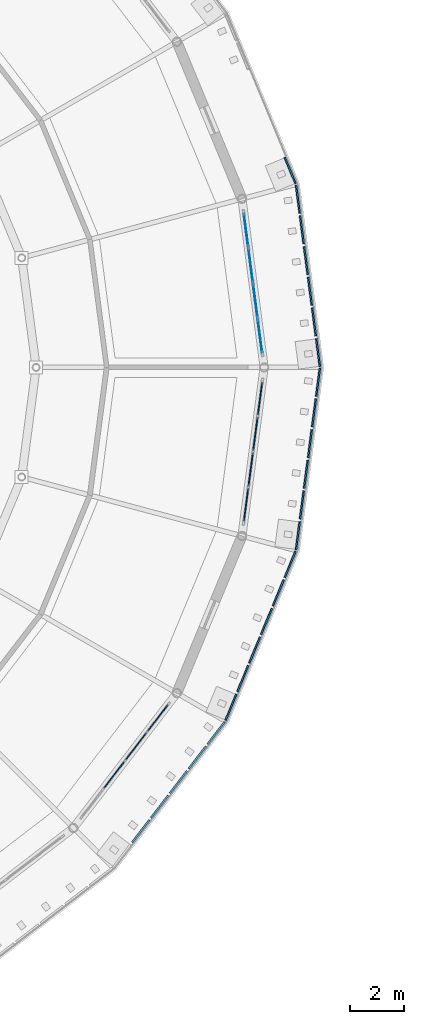
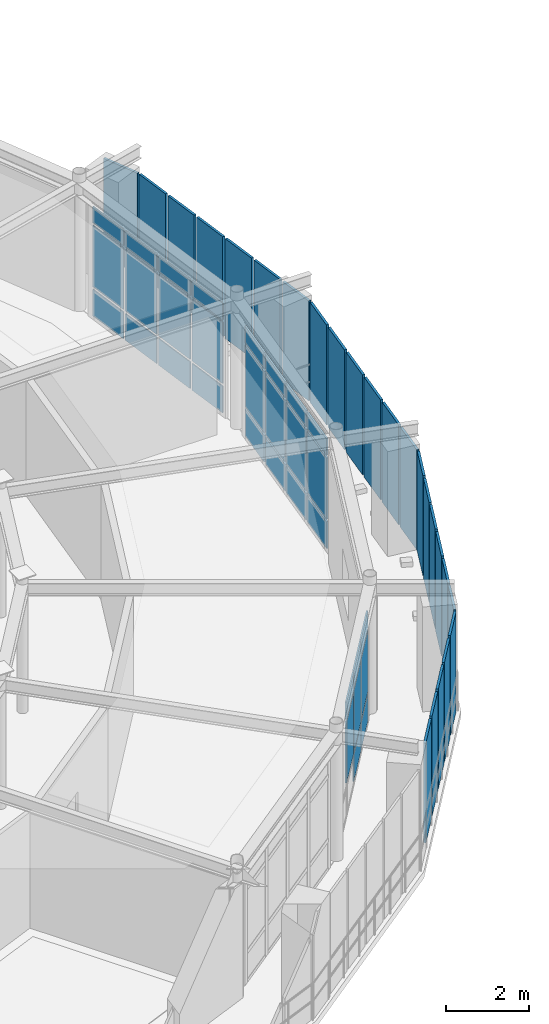
# One storey, part 44 of 70: 56 plates, 3 elements without a shape of their own.
"""IFC4 building model written with IfcOpenShell, lengths in metres."""

from ifc_helpers import new_model, si_unit, derived_unit, direction, frame, origin, origin_2d, place, context, subcontext, project, spatial, rectangle, extrude, material, layer, layer_set, type_object, element, aggregate, save


model = new_model("IFC4")

# Units and contexts
model_context = context("Model", 3, precision=1e-05, world=origin(), true_north=direction((0.0, 1.0)))
body_context = subcontext(model_context, "Body", "Model", "MODEL_VIEW")
ifc_project = project(units=[si_unit("LENGTHUNIT", "METRE"), si_unit("AREAUNIT", "SQUARE_METRE"), si_unit("VOLUMEUNIT", "CUBIC_METRE"), si_unit("PLANEANGLEUNIT", "RADIAN"), si_unit("MASSUNIT", "GRAM", prefix="KILO"), derived_unit("THERMALTRANSMITTANCEUNIT", [(si_unit("POWERUNIT", "WATT"), 1), (si_unit("AREAUNIT", "SQUARE_METRE"), -1), (si_unit("THERMODYNAMICTEMPERATUREUNIT", "KELVIN"), -1)])], contexts=[model_context])

# Site, building, storey
site_placement = place(None, origin())
site = spatial("IfcSite", under=ifc_project, at=site_placement, CompositionType="ELEMENT")
building_placement = place(site_placement, origin())
building = spatial("IfcBuilding", under=site, at=building_placement, Name="Yasenodar Specialist Clinic", CompositionType="ELEMENT")
storey_placement = place(building_placement, frame((0.0, 0.0, 13.199951171875)))
storey = spatial("IfcBuildingStorey", under=building, at=storey_placement, Name="L03", CompositionType="ELEMENT", Elevation=13.199951171875)

# Curtain wall, plates
ifc_material_1 = material(Name="Bronze Anodized Aluminium and Triple Low-E Glass", Category="aluminium")
ifc_layer_1 = layer(ifc_material_1, 0.1669921875)
ifc_layer_set_1 = layer_set([ifc_layer_1], Name="Bronze Anodized Aluminium and Triple Low-E Glass")
curtain_wall_type = type_object("IfcCurtainWallType", Name="CW-SYS-01", PredefinedType="USERDEFINED", material=ifc_layer_set_1)
curtain_wall_1_placement = place(storey_placement, origin())
curtain_wall_1 = element("IfcCurtainWall", 1, at=curtain_wall_1_placement, inside=storey, type_object=curtain_wall_type, Name="L03 Unitised Curtain Wall 040", ObjectType="UNITISED CURTAIN WALL", PredefinedType="USERDEFINED")
ifc_material_2 = material(Name="Triple Low-E Argon Glazing", Category="glass")
ifc_layer_2 = layer(ifc_material_2, 0.028076171875)
ifc_layer_set_2 = layer_set([ifc_layer_2], Name="Triple Low-E Argon Glazing")
plate_type_1 = type_object("IfcPlateType", Name="CW-PAN-1", PredefinedType="CURTAIN_PANEL", material=ifc_layer_set_2)
plate_1_placement = place(storey_placement, frame((104.333984375, 63.859619140625, 0.074951171875), z_axis=(0.0, 0.0, 1.0), x_axis=(0.13051156024, -0.991446787601, 0.0)))
plate_1 = element("IfcPlate", 2, at=plate_1_placement, type_object=plate_type_1, Name="CW-01 panel 1.1", PredefinedType="CURTAIN_PANEL", context=body_context, shape_type="SweptSolid", body=[
    extrude(rectangle(XDim=1.2138671875, YDim=0.028076171875, at=origin_2d()), origin(), (0.0, 0.0, 1.0), 0.78759765625),
])
plate_2_placement = place(storey_placement, frame((104.333984375, 63.859619140625, 0.9375), z_axis=(0.0, 0.0, 1.0), x_axis=(0.13051156024, -0.991446787601, 0.0)))
plate_2 = element("IfcPlate", 3, at=plate_2_placement, type_object=plate_type_1, Name="CW-01 panel 1.2", PredefinedType="CURTAIN_PANEL", context=body_context, shape_type="SweptSolid", body=[
    extrude(rectangle(XDim=1.2138671875, YDim=0.028076171875, at=origin_2d()), origin(), (0.0, 0.0, 1.0), 1.81298828125),
])
plate_3_placement = place(storey_placement, frame((104.333984375, 63.859619140625, 2.82568359375), z_axis=(0.0, 0.0, 1.0), x_axis=(0.13051156024, -0.991446787601, 0.0)))
plate_3 = element("IfcPlate", 4, at=plate_3_placement, type_object=plate_type_1, Name="CW-01 panel 1.3", PredefinedType="CURTAIN_PANEL", context=body_context, shape_type="SweptSolid", body=[
    extrude(rectangle(XDim=1.2138671875, YDim=0.028076171875, at=origin_2d()), origin(), (0.0, 0.0, 1.0), 0.487548828125),
])
plate_4_placement = place(storey_placement, frame((104.504638671875, 62.563232421875, 0.074951171875), z_axis=(0.0, 0.0, 1.0), x_axis=(0.13051156024, -0.991446787601, 0.0)))
plate_4 = element("IfcPlate", 5, at=plate_4_placement, type_object=plate_type_1, Name="CW-01 panel 2.1", PredefinedType="CURTAIN_PANEL", context=body_context, shape_type="SweptSolid", body=[
    extrude(rectangle(XDim=1.251220703125, YDim=0.028076171875, at=origin_2d()), origin(), (0.0, 0.0, 1.0), 0.78759765625),
])
plate_5_placement = place(storey_placement, frame((104.504638671875, 62.563232421875, 0.9375), z_axis=(0.0, 0.0, 1.0), x_axis=(0.13051156024, -0.991446787601, 0.0)))
plate_5 = element("IfcPlate", 6, at=plate_5_placement, type_object=plate_type_1, Name="CW-01 panel 2.2", PredefinedType="CURTAIN_PANEL", context=body_context, shape_type="SweptSolid", body=[
    extrude(rectangle(XDim=1.251220703125, YDim=0.028076171875, at=origin_2d()), origin(), (0.0, 0.0, 1.0), 1.81298828125),
])
plate_6_placement = place(storey_placement, frame((104.504638671875, 62.563232421875, 2.82568359375), z_axis=(0.0, 0.0, 1.0), x_axis=(0.13051156024, -0.991446787601, 0.0)))
plate_6 = element("IfcPlate", 7, at=plate_6_placement, type_object=plate_type_1, Name="CW-01 panel 2.3", PredefinedType="CURTAIN_PANEL", context=body_context, shape_type="SweptSolid", body=[
    extrude(rectangle(XDim=1.251220703125, YDim=0.028076171875, at=origin_2d()), origin(), (0.0, 0.0, 1.0), 0.487548828125),
])
plate_7_placement = place(storey_placement, frame((104.677734375, 61.248291015625, 0.074951171875), z_axis=(0.0, 0.0, 1.0), x_axis=(0.13051156024, -0.991446787601, 0.0)))
plate_7 = element("IfcPlate", 8, at=plate_7_placement, type_object=plate_type_1, Name="CW-01 panel 3.1", PredefinedType="CURTAIN_PANEL", context=body_context, shape_type="SweptSolid", body=[
    extrude(rectangle(XDim=1.251220703125, YDim=0.028076171875, at=origin_2d()), origin(), (0.0, 0.0, 1.0), 0.78759765625),
])
plate_8_placement = place(storey_placement, frame((104.677734375, 61.248291015625, 0.9375), z_axis=(0.0, 0.0, 1.0), x_axis=(0.13051156024, -0.991446787601, 0.0)))
plate_8 = element("IfcPlate", 9, at=plate_8_placement, type_object=plate_type_1, Name="CW-01 panel 3.2", PredefinedType="CURTAIN_PANEL", context=body_context, shape_type="SweptSolid", body=[
    extrude(rectangle(XDim=1.251220703125, YDim=0.028076171875, at=origin_2d()), origin(), (0.0, 0.0, 1.0), 1.81298828125),
])
plate_9_placement = place(storey_placement, frame((104.677734375, 61.248291015625, 2.82568359375), z_axis=(0.0, 0.0, 1.0), x_axis=(0.13051156024, -0.991446787601, 0.0)))
plate_9 = element("IfcPlate", 10, at=plate_9_placement, type_object=plate_type_1, Name="CW-01 panel 3.3", PredefinedType="CURTAIN_PANEL", context=body_context, shape_type="SweptSolid", body=[
    extrude(rectangle(XDim=1.251220703125, YDim=0.028076171875, at=origin_2d()), origin(), (0.0, 0.0, 1.0), 0.487548828125),
])
plate_10_placement = place(storey_placement, frame((104.848388671875, 59.951904296875, 0.074951171875), z_axis=(0.0, 0.0, 1.0), x_axis=(0.13051156024, -0.991446787601, 0.0)))
plate_10 = element("IfcPlate", 11, at=plate_10_placement, type_object=plate_type_1, Name="CW-01 panel 4.1", PredefinedType="CURTAIN_PANEL", context=body_context, shape_type="SweptSolid", body=[
    extrude(rectangle(XDim=1.2138671875, YDim=0.028076171875, at=origin_2d()), origin(), (0.0, 0.0, 1.0), 0.78759765625),
])
plate_11_placement = place(storey_placement, frame((104.848388671875, 59.951904296875, 0.9375), z_axis=(0.0, 0.0, 1.0), x_axis=(0.13051156024, -0.991446787601, 0.0)))
plate_11 = element("IfcPlate", 12, at=plate_11_placement, type_object=plate_type_1, Name="CW-01 panel 4.2", PredefinedType="CURTAIN_PANEL", context=body_context, shape_type="SweptSolid", body=[
    extrude(rectangle(XDim=1.2138671875, YDim=0.028076171875, at=origin_2d()), origin(), (0.0, 0.0, 1.0), 1.81298828125),
])
plate_12_placement = place(storey_placement, frame((104.848388671875, 59.951904296875, 2.82568359375), z_axis=(0.0, 0.0, 1.0), x_axis=(0.13051156024, -0.991446787601, 0.0)))
plate_12 = element("IfcPlate", 13, at=plate_12_placement, type_object=plate_type_1, Name="CW-01 panel 4.3", PredefinedType="CURTAIN_PANEL", context=body_context, shape_type="SweptSolid", body=[
    extrude(rectangle(XDim=1.2138671875, YDim=0.028076171875, at=origin_2d()), origin(), (0.0, 0.0, 1.0), 0.487548828125),
])
aggregate(curtain_wall_1, [plate_1, plate_2, plate_3, plate_4, plate_5, plate_6, plate_7, plate_8, plate_9, plate_10, plate_11, plate_12])

curtain_wall_2_placement = place(storey_placement, origin())
curtain_wall_2 = element("IfcCurtainWall", 14, at=curtain_wall_2_placement, inside=storey, type_object=curtain_wall_type, Name="L03 Unitised Curtain Wall 054", ObjectType="UNITISED CURTAIN WALL", PredefinedType="USERDEFINED")
ifc_layer_3 = layer(ifc_material_2, 0.0400390625)
ifc_layer_set_3 = layer_set([ifc_layer_3], Name="Triple Low-E Argon Glazing")
plate_type_2 = type_object("IfcPlateType", Name="CW-PAN-3", PredefinedType="CURTAIN_PANEL", material=ifc_layer_set_3)
plate_13_placement = place(storey_placement, frame((101.07958984375, 45.881103515625, 0.06005859375), z_axis=(0.0, 0.0, 1.0), x_axis=(-0.608752021844, -0.793360558574, 0.0)))
plate_13 = element("IfcPlate", 15, at=plate_13_placement, type_object=plate_type_2, Name="CW-01 panel 1.1", PredefinedType="CURTAIN_PANEL", context=body_context, shape_type="SweptSolid", body=[
    extrude(rectangle(XDim=1.236328125, YDim=0.0400390625, at=origin_2d()), origin(), (0.0, 0.0, 1.0), 0.81005859375),
])
plate_14_placement = place(storey_placement, frame((101.07958984375, 45.881103515625, 0.93017578125), z_axis=(0.0, 0.0, 1.0), x_axis=(-0.608752021844, -0.793360558574, 0.0)))
plate_14 = element("IfcPlate", 16, at=plate_14_placement, type_object=plate_type_2, Name="CW-01 panel 1.2", PredefinedType="CURTAIN_PANEL", context=body_context, shape_type="SweptSolid", body=[
    extrude(rectangle(XDim=1.236328125, YDim=0.0400390625, at=origin_2d()), origin(), (0.0, 0.0, 1.0), 1.827880859375),
])
plate_15_placement = place(storey_placement, frame((101.07958984375, 45.881103515625, 2.81787109375), z_axis=(0.0, 0.0, 1.0), x_axis=(-0.608752021844, -0.793360558574, 0.0)))
plate_15 = element("IfcPlate", 17, at=plate_15_placement, type_object=plate_type_2, Name="CW-01 panel 1.3", PredefinedType="CURTAIN_PANEL", context=body_context, shape_type="SweptSolid", body=[
    extrude(rectangle(XDim=1.236328125, YDim=0.0400390625, at=origin_2d()), origin(), (0.0, 0.0, 1.0), 0.510009765625),
])
plate_16_placement = place(storey_placement, frame((100.28125, 44.8408203125, 0.06005859375), z_axis=(0.0, 0.0, 1.0), x_axis=(-0.608752021844, -0.793360558574, 0.0)))
plate_16 = element("IfcPlate", 18, at=plate_16_placement, type_object=plate_type_2, Name="CW-01 panel 2.1", PredefinedType="CURTAIN_PANEL", context=body_context, shape_type="SweptSolid", body=[
    extrude(rectangle(XDim=1.266357421875, YDim=0.0400390625, at=origin_2d()), origin(), (0.0, 0.0, 1.0), 0.81005859375),
])
plate_17_placement = place(storey_placement, frame((100.28125, 44.8408203125, 0.93017578125), z_axis=(0.0, 0.0, 1.0), x_axis=(-0.608752021844, -0.793360558574, 0.0)))
plate_17 = element("IfcPlate", 19, at=plate_17_placement, type_object=plate_type_2, Name="CW-01 panel 2.2", PredefinedType="CURTAIN_PANEL", context=body_context, shape_type="SweptSolid", body=[
    extrude(rectangle(XDim=1.266357421875, YDim=0.0400390625, at=origin_2d()), origin(), (0.0, 0.0, 1.0), 1.827880859375),
])
plate_18_placement = place(storey_placement, frame((100.28125, 44.8408203125, 2.81787109375), z_axis=(0.0, 0.0, 1.0), x_axis=(-0.608752021844, -0.793360558574, 0.0)))
plate_18 = element("IfcPlate", 20, at=plate_18_placement, type_object=plate_type_2, Name="CW-01 panel 2.3", PredefinedType="CURTAIN_PANEL", context=body_context, shape_type="SweptSolid", body=[
    extrude(rectangle(XDim=1.266357421875, YDim=0.0400390625, at=origin_2d()), origin(), (0.0, 0.0, 1.0), 0.510009765625),
])
plate_19_placement = place(storey_placement, frame((99.473876953125, 43.78857421875, 0.93017578125), z_axis=(0.0, 0.0, 1.0), x_axis=(-0.608752021844, -0.793360558574, 0.0)))
plate_19 = element("IfcPlate", 21, at=plate_19_placement, type_object=plate_type_2, Name="CW-01 panel 3.2", PredefinedType="CURTAIN_PANEL", context=body_context, shape_type="SweptSolid", body=[
    extrude(rectangle(XDim=1.266357421875, YDim=0.0400390625, at=origin_2d()), origin(), (0.0, 0.0, 1.0), 1.827880859375),
])
plate_20_placement = place(storey_placement, frame((99.473876953125, 43.78857421875, 2.81787109375), z_axis=(0.0, 0.0, 1.0), x_axis=(-0.608752021844, -0.793360558574, 0.0)))
plate_20 = element("IfcPlate", 22, at=plate_20_placement, type_object=plate_type_2, Name="CW-01 panel 3.3", PredefinedType="CURTAIN_PANEL", context=body_context, shape_type="SweptSolid", body=[
    extrude(rectangle(XDim=1.266357421875, YDim=0.0400390625, at=origin_2d()), origin(), (0.0, 0.0, 1.0), 0.510009765625),
])
aggregate(curtain_wall_2, [plate_13, plate_14, plate_15, plate_16, plate_17, plate_18, plate_19, plate_20])

curtain_wall_3_placement = place(storey_placement, origin())
curtain_wall_3 = element("IfcCurtainWall", 23, at=curtain_wall_3_placement, inside=storey, type_object=curtain_wall_type, Name="L03 Unitised Curtain Wall 055", ObjectType="UNITISED CURTAIN WALL", PredefinedType="USERDEFINED")
ifc_layer_4 = layer(ifc_material_2, 0.0458984375)
ifc_layer_set_4 = layer_set([ifc_layer_4], Name="Triple Low-E Argon Glazing")
plate_type_3 = type_object("IfcPlateType", Name="CW-PAN-4", PredefinedType="CURTAIN_PANEL", material=ifc_layer_set_4)
plate_21_placement = place(storey_placement, frame((104.848388671875, 57.64794921875, 0.074951171875), z_axis=(0.0, 0.0, 1.0), x_axis=(-0.13051156024, -0.991446787601, 0.0)))
plate_21 = element("IfcPlate", 24, at=plate_21_placement, type_object=plate_type_3, Name="CW-01 panel 1.1", PredefinedType="CURTAIN_PANEL", context=body_context, shape_type="SweptSolid", body=[
    extrude(rectangle(XDim=1.2138671875, YDim=0.0458984375, at=origin_2d()), origin(), (0.0, 0.0, 1.0), 0.78759765625),
])
plate_22_placement = place(storey_placement, frame((104.848388671875, 57.64794921875, 0.9375), z_axis=(0.0, 0.0, 1.0), x_axis=(-0.13051156024, -0.991446787601, 0.0)))
plate_22 = element("IfcPlate", 25, at=plate_22_placement, type_object=plate_type_3, Name="CW-01 panel 1.2", PredefinedType="CURTAIN_PANEL", context=body_context, shape_type="SweptSolid", body=[
    extrude(rectangle(XDim=1.2138671875, YDim=0.0458984375, at=origin_2d()), origin(), (0.0, 0.0, 1.0), 1.81298828125),
])
plate_23_placement = place(storey_placement, frame((104.848388671875, 57.64794921875, 2.82568359375), z_axis=(0.0, 0.0, 1.0), x_axis=(-0.13051156024, -0.991446787601, 0.0)))
plate_23 = element("IfcPlate", 26, at=plate_23_placement, type_object=plate_type_3, Name="CW-01 panel 1.3", PredefinedType="CURTAIN_PANEL", context=body_context, shape_type="SweptSolid", body=[
    extrude(rectangle(XDim=1.2138671875, YDim=0.0458984375, at=origin_2d()), origin(), (0.0, 0.0, 1.0), 0.487548828125),
])
plate_24_placement = place(storey_placement, frame((104.677734375, 56.3515625, 0.074951171875), z_axis=(0.0, 0.0, 1.0), x_axis=(-0.13051156024, -0.991446787601, 0.0)))
plate_24 = element("IfcPlate", 27, at=plate_24_placement, type_object=plate_type_3, Name="CW-01 panel 2.1", PredefinedType="CURTAIN_PANEL", context=body_context, shape_type="SweptSolid", body=[
    extrude(rectangle(XDim=1.251220703125, YDim=0.0458984375, at=origin_2d()), origin(), (0.0, 0.0, 1.0), 0.78759765625),
])
plate_25_placement = place(storey_placement, frame((104.677734375, 56.3515625, 0.9375), z_axis=(0.0, 0.0, 1.0), x_axis=(-0.13051156024, -0.991446787601, 0.0)))
plate_25 = element("IfcPlate", 28, at=plate_25_placement, type_object=plate_type_3, Name="CW-01 panel 2.2", PredefinedType="CURTAIN_PANEL", context=body_context, shape_type="SweptSolid", body=[
    extrude(rectangle(XDim=1.251220703125, YDim=0.0458984375, at=origin_2d()), origin(), (0.0, 0.0, 1.0), 1.81298828125),
])
plate_26_placement = place(storey_placement, frame((104.677734375, 56.3515625, 2.82568359375), z_axis=(0.0, 0.0, 1.0), x_axis=(-0.13051156024, -0.991446787601, 0.0)))
plate_26 = element("IfcPlate", 29, at=plate_26_placement, type_object=plate_type_3, Name="CW-01 panel 2.3", PredefinedType="CURTAIN_PANEL", context=body_context, shape_type="SweptSolid", body=[
    extrude(rectangle(XDim=1.251220703125, YDim=0.0458984375, at=origin_2d()), origin(), (0.0, 0.0, 1.0), 0.487548828125),
])
plate_27_placement = place(storey_placement, frame((104.504638671875, 55.03662109375, 0.074951171875), z_axis=(0.0, 0.0, 1.0), x_axis=(-0.13051156024, -0.991446787601, 0.0)))
plate_27 = element("IfcPlate", 30, at=plate_27_placement, type_object=plate_type_3, Name="CW-01 panel 3.1", PredefinedType="CURTAIN_PANEL", context=body_context, shape_type="SweptSolid", body=[
    extrude(rectangle(XDim=1.251220703125, YDim=0.0458984375, at=origin_2d()), origin(), (0.0, 0.0, 1.0), 0.78759765625),
])
plate_28_placement = place(storey_placement, frame((104.504638671875, 55.03662109375, 0.9375), z_axis=(0.0, 0.0, 1.0), x_axis=(-0.13051156024, -0.991446787601, 0.0)))
plate_28 = element("IfcPlate", 31, at=plate_28_placement, type_object=plate_type_3, Name="CW-01 panel 3.2", PredefinedType="CURTAIN_PANEL", context=body_context, shape_type="SweptSolid", body=[
    extrude(rectangle(XDim=1.251220703125, YDim=0.0458984375, at=origin_2d()), origin(), (0.0, 0.0, 1.0), 1.81298828125),
])
plate_29_placement = place(storey_placement, frame((104.504638671875, 55.03662109375, 2.82568359375), z_axis=(0.0, 0.0, 1.0), x_axis=(-0.13051156024, -0.991446787601, 0.0)))
plate_29 = element("IfcPlate", 32, at=plate_29_placement, type_object=plate_type_3, Name="CW-01 panel 3.3", PredefinedType="CURTAIN_PANEL", context=body_context, shape_type="SweptSolid", body=[
    extrude(rectangle(XDim=1.251220703125, YDim=0.0458984375, at=origin_2d()), origin(), (0.0, 0.0, 1.0), 0.487548828125),
])
plate_30_placement = place(storey_placement, frame((104.333984375, 53.740234375, 0.074951171875), z_axis=(0.0, 0.0, 1.0), x_axis=(-0.13051156024, -0.991446787601, 0.0)))
plate_30 = element("IfcPlate", 33, at=plate_30_placement, type_object=plate_type_3, Name="CW-01 panel 4.1", PredefinedType="CURTAIN_PANEL", context=body_context, shape_type="SweptSolid", body=[
    extrude(rectangle(XDim=1.2138671875, YDim=0.0458984375, at=origin_2d()), origin(), (0.0, 0.0, 1.0), 0.78759765625),
])
plate_31_placement = place(storey_placement, frame((104.333984375, 53.740234375, 0.9375), z_axis=(0.0, 0.0, 1.0), x_axis=(-0.13051156024, -0.991446787601, 0.0)))
plate_31 = element("IfcPlate", 34, at=plate_31_placement, type_object=plate_type_3, Name="CW-01 panel 4.2", PredefinedType="CURTAIN_PANEL", context=body_context, shape_type="SweptSolid", body=[
    extrude(rectangle(XDim=1.2138671875, YDim=0.0458984375, at=origin_2d()), origin(), (0.0, 0.0, 1.0), 1.81298828125),
])
plate_32_placement = place(storey_placement, frame((104.333984375, 53.740234375, 2.82568359375), z_axis=(0.0, 0.0, 1.0), x_axis=(-0.13051156024, -0.991446787601, 0.0)))
plate_32 = element("IfcPlate", 35, at=plate_32_placement, type_object=plate_type_3, Name="CW-01 panel 4.3", PredefinedType="CURTAIN_PANEL", context=body_context, shape_type="SweptSolid", body=[
    extrude(rectangle(XDim=1.2138671875, YDim=0.0458984375, at=origin_2d()), origin(), (0.0, 0.0, 1.0), 0.487548828125),
])
aggregate(curtain_wall_3, [plate_21, plate_22, plate_23, plate_24, plate_25, plate_26, plate_27, plate_28, plate_29, plate_30, plate_31, plate_32])

# Plates
ifc_material_3 = material(Name="Thermally Modified Larch and Bronze Girih Jali Screen")
ifc_layer_5 = layer(ifc_material_3, 0.06494140625)
ifc_layer_set_5 = layer_set([ifc_layer_5], Name="Thermally Modified Larch and Bronze Girih Jali Screen")
plate_type_4 = type_object("IfcPlateType", Name="PL-JALI-850", PredefinedType="USERDEFINED", material=ifc_layer_set_5)
for number, where, z_axis, x_axis, name in (
    (36, (106.98681640625, 59.3466796875, 0.0048828125), (0.0, 0.0, 1.0), (-0.130519185854, 0.991445783754, 0.0), "L03 Sliding Timber-Bronze Jali Shutter Screen 0217"),
    (37, (106.837890625, 60.47705078125, 0.0048828125), (0.0, 0.0, 1.0), (-0.130519185854, 0.991445783754, 0.0), "L03 Sliding Timber-Bronze Jali Shutter Screen 0218"),
    (38, (106.689208984375, 61.607177734375, 0.0048828125), (0.0, 0.0, 1.0), (-0.130519185854, 0.991445783754, 0.0), "L03 Sliding Timber-Bronze Jali Shutter Screen 0219"),
    (39, (106.54052734375, 62.7373046875, 0.0048828125), (0.0, 0.0, 1.0), (-0.130519185854, 0.991445783754, 0.0), "L03 Sliding Timber-Bronze Jali Shutter Screen 0220"),
    (40, (106.3916015625, 63.86767578125, 0.0048828125), (0.0, 0.0, 1.0), (-0.130519185854, 0.991445783754, 0.0), "L03 Sliding Timber-Bronze Jali Shutter Screen 0221"),
    (41, (106.242919921875, 64.997802734375, 0.0048828125), (0.0, 0.0, 1.0), (-0.130519185854, 0.991445783754, 0.0), "L03 Sliding Timber-Bronze Jali Shutter Screen 0222"),
    (42, (105.959716796875, 66.05419921875, 0.0048828125), (0.0, 0.0, 1.0), (-0.382686667195, 0.923878192594, 0.0), "L03 Sliding Timber-Bronze Jali Shutter Screen 0223"),
    (43, (100.4560546875, 41.715576171875, 0.0048828125), (0.0, 0.0, 1.0), (0.608764217148, 0.793351200869, 0.0), "L03 Sliding Timber-Bronze Jali Shutter Screen 0314"),
    (44, (101.14990234375, 42.619873046875, 0.0048828125), (0.0, 0.0, 1.0), (0.608764217148, 0.793351200869, 0.0), "L03 Sliding Timber-Bronze Jali Shutter Screen 0315"),
    (45, (101.843994140625, 43.5244140625, 0.0048828125), (0.0, 0.0, 1.0), (0.608764217148, 0.793351200869, 0.0), "L03 Sliding Timber-Bronze Jali Shutter Screen 0316"),
    (46, (102.537841796875, 44.4287109375, 0.0048828125), (0.0, 0.0, 1.0), (0.608764217148, 0.793351200869, 0.0), "L03 Sliding Timber-Bronze Jali Shutter Screen 0317"),
    (47, (103.23193359375, 45.3330078125, 0.0048828125), (0.0, 0.0, 1.0), (0.608764217148, 0.793351200869, 0.0), "L03 Sliding Timber-Bronze Jali Shutter Screen 0318"),
    (48, (103.77880859375, 46.2802734375, 0.0048828125), (0.0, 0.0, 1.0), (0.382686667195, 0.923878192594, 0.0), "L03 Sliding Timber-Bronze Jali Shutter Screen 0319"),
    (49, (104.21484375, 47.333251953125, 0.0048828125), (0.0, 0.0, 1.0), (0.382686667195, 0.923878192594, 0.0), "L03 Sliding Timber-Bronze Jali Shutter Screen 0320"),
    (50, (104.651123046875, 48.386474609375, 0.0048828125), (0.0, 0.0, 1.0), (0.382686667195, 0.923878192594, 0.0), "L03 Sliding Timber-Bronze Jali Shutter Screen 0321"),
    (51, (105.08740234375, 49.439697265625, 0.0048828125), (0.0, 0.0, 1.0), (0.382686667195, 0.923878192594, 0.0), "L03 Sliding Timber-Bronze Jali Shutter Screen 0322"),
    (52, (105.523681640625, 50.492919921875, 0.0048828125), (0.0, 0.0, 1.0), (0.382686667195, 0.923878192594, 0.0), "L03 Sliding Timber-Bronze Jali Shutter Screen 0323"),
    (53, (105.959716796875, 51.5458984375, 0.0048828125), (0.0, 0.0, 1.0), (0.382686667195, 0.923878192594, 0.0), "L03 Sliding Timber-Bronze Jali Shutter Screen 0324"),
    (54, (106.242919921875, 52.602294921875, 0.0048828125), (0.0, 0.0, 1.0), (0.130519185854, 0.991445783754, 0.0), "L03 Sliding Timber-Bronze Jali Shutter Screen 0325"),
    (55, (106.3916015625, 53.732421875, 0.0048828125), (0.0, 0.0, 1.0), (0.130519185854, 0.991445783754, 0.0), "L03 Sliding Timber-Bronze Jali Shutter Screen 0326"),
    (56, (106.54052734375, 54.862548828125, 0.0048828125), (0.0, 0.0, 1.0), (0.130519185854, 0.991445783754, 0.0), "L03 Sliding Timber-Bronze Jali Shutter Screen 0327"),
    (57, (106.689208984375, 55.992919921875, 0.0048828125), (0.0, 0.0, 1.0), (0.130519185854, 0.991445783754, 0.0), "L03 Sliding Timber-Bronze Jali Shutter Screen 0328"),
    (58, (106.837890625, 57.123046875, 0.0048828125), (0.0, 0.0, 1.0), (0.130519185854, 0.991445783754, 0.0), "L03 Sliding Timber-Bronze Jali Shutter Screen 0329"),
    (59, (106.98681640625, 58.253173828125, 0.0048828125), (0.0, 0.0, 1.0), (0.130519185854, 0.991445783754, 0.0), "L03 Sliding Timber-Bronze Jali Shutter Screen 0330"),
):
    element("IfcPlate", number, at=place(storey_placement, frame(where, z_axis=z_axis, x_axis=x_axis)), inside=storey, type_object=plate_type_4, Name=name, ObjectType="SCREEN_PANEL", PredefinedType="USERDEFINED", context=body_context, shape_type="SweptSolid", body=[
        extrude(rectangle(XDim=1.0400390625, YDim=0.06494140625, at=origin_2d()), origin(), (0.0, 0.0, 1.0), 2.949951171875),
    ])

save(model, "model.ifc")
